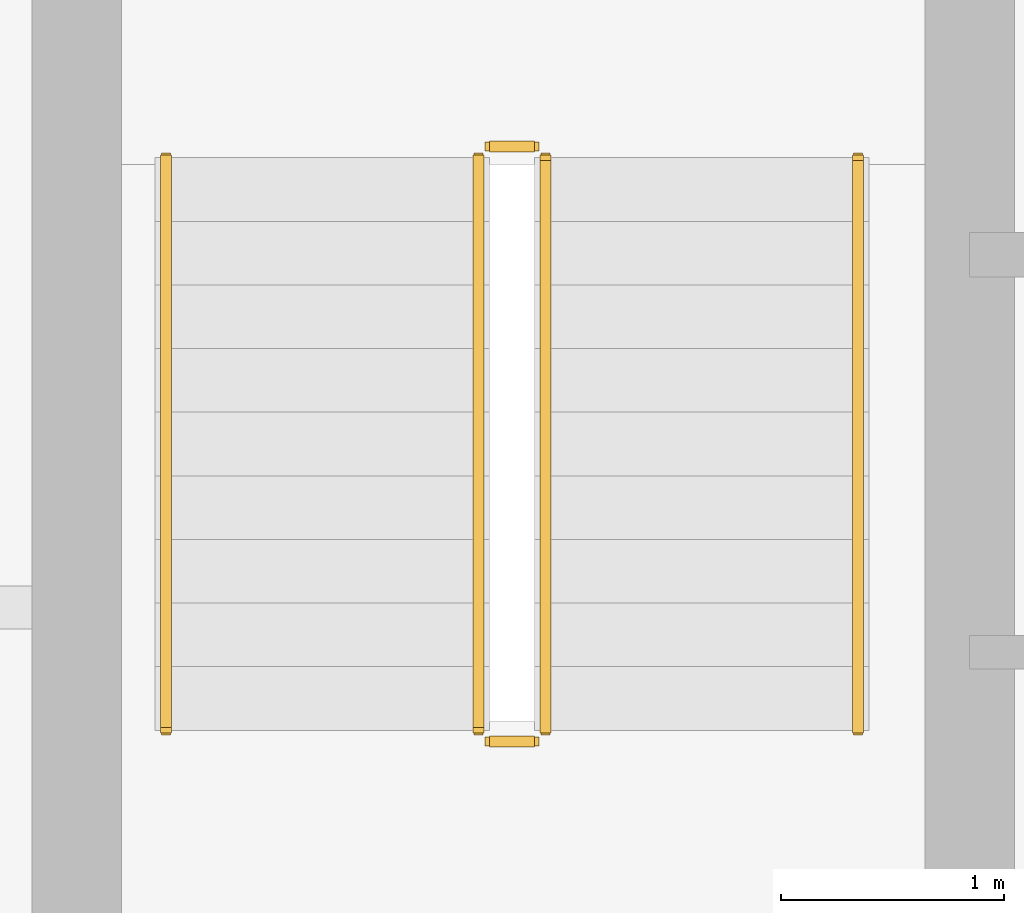
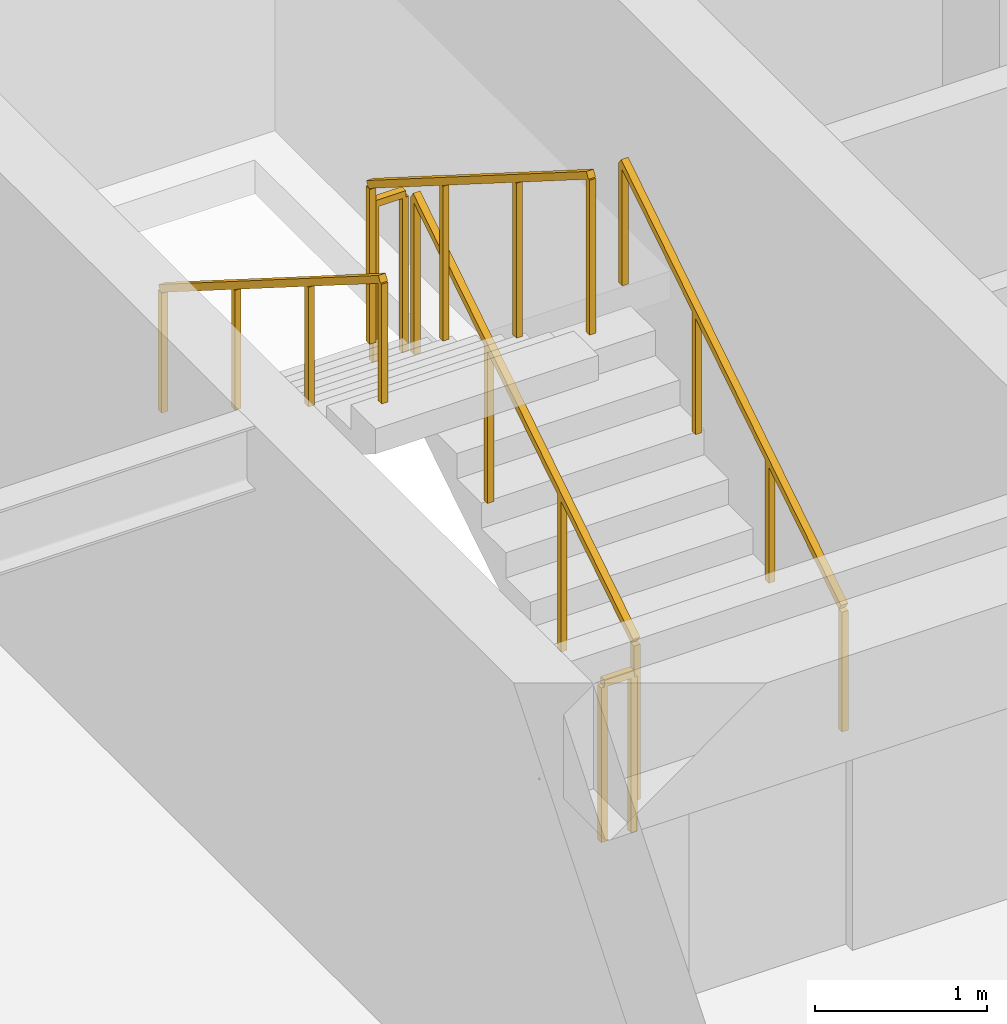
# One storey, part 21 of 23: 6 railings.
"""IFC4 building model written with IfcOpenShell, lengths in metres."""

from ifc_helpers import new_model, si_unit, direction, frame, origin, origin_2d, place, context, subcontext, project, spatial, rectangle, extrude, material, type_object, element, save


model = new_model("IFC4")

# Units and contexts
model_context = context("Model", 3, precision=1e-05, world=origin(), true_north=direction((0.0, 1.0)))
body_context = subcontext(model_context, "Body", "Model", "MODEL_VIEW")
ifc_project = project(units=[si_unit("LENGTHUNIT", "METRE"), si_unit("AREAUNIT", "SQUARE_METRE"), si_unit("VOLUMEUNIT", "CUBIC_METRE"), si_unit("PLANEANGLEUNIT", "RADIAN"), si_unit("MASSUNIT", "GRAM", prefix="KILO")], contexts=[model_context])

# Site, building, storey
site_placement = place(None, origin())
site = spatial("IfcSite", under=ifc_project, at=site_placement, CompositionType="ELEMENT")
building_placement = place(site_placement, origin())
building = spatial("IfcBuilding", under=site, at=building_placement, Name="Sarneth Arch Tower", CompositionType="ELEMENT")
storey_placement = place(building_placement, frame((0.0, 0.0, 242.39990234375)))
storey = spatial("IfcBuildingStorey", under=building, at=storey_placement, Name="L62", CompositionType="ELEMENT", Elevation=242.39990234375)

# Railings
ifc_material_1 = material(Name="Brushed Stainless Steel 304 tubular handrail", Category="steel")
railing_type_1 = type_object("IfcRailingType", Name="RAIL-HANDRAIL-900", PredefinedType="HANDRAIL", material=ifc_material_1)
railing_1_placement = place(storey_placement, frame((40.5, 41.449951171875, 0.18017578125)))
element("IfcRailing", 1, at=railing_1_placement, inside=storey, type_object=railing_type_1, Name="L62 ST-1 stair handrail 1", PredefinedType="HANDRAIL", context=body_context, shape_type="SweptSolid", body=[
    extrude(rectangle(XDim=0.048095703125, YDim=0.048095703125, at=origin_2d()), frame((0.0, 0.0, 0.8759765625), z_axis=(0.0, 0.845502289212, 0.533971796014), x_axis=(-1.0, 0.0, 0.0)), (0.0, 0.0, 1.0), 3.03369140625),
    extrude(rectangle(XDim=0.0419921875, YDim=0.0419921875, at=origin_2d()), origin(), (0.0, 0.0, 1.0), 0.851806640625),
    extrude(rectangle(XDim=0.0419921875, YDim=0.0419921875, at=origin_2d()), frame((0.0, 0.85498046875, 0.5400390625)), (0.0, 0.0, 1.0), 0.851806640625),
    extrude(rectangle(XDim=0.0419921875, YDim=0.0419921875, at=origin_2d()), frame((0.0, 1.7099609375, 1.079833984375)), (0.0, 0.0, 1.0), 0.851806640625),
    extrude(rectangle(XDim=0.0419921875, YDim=0.0419921875, at=origin_2d()), frame((0.0, 2.56494140625, 1.619873046875)), (0.0, 0.0, 1.0), 0.851806640625),
])
railing_2_placement = place(storey_placement, frame((37.39990234375, 44.014892578125, 1.97998046875)))
element("IfcRailing", 2, at=railing_2_placement, inside=storey, type_object=railing_type_1, Name="L62 ST-1 stair handrail 2", PredefinedType="HANDRAIL", context=body_context, shape_type="SweptSolid", body=[
    extrude(rectangle(XDim=0.048095703125, YDim=0.048095703125, at=origin_2d()), frame((0.0, 0.0, 0.8759765625), z_axis=(0.0, -0.845465955043, 0.534029323973), x_axis=(1.0, 0.0, 0.0)), (0.0, 0.0, 1.0), 3.03369140625),
    extrude(rectangle(XDim=0.0419921875, YDim=0.0419921875, at=origin_2d()), origin(), (0.0, 0.0, 1.0), 0.851806640625),
    extrude(rectangle(XDim=0.0419921875, YDim=0.0419921875, at=origin_2d()), frame((0.0, -0.85498046875, 0.5400390625)), (0.0, 0.0, 1.0), 0.851806640625),
    extrude(rectangle(XDim=0.0419921875, YDim=0.0419921875, at=origin_2d()), frame((0.0, -1.7099609375, 1.080078125)), (0.0, 0.0, 1.0), 0.851806640625),
    extrude(rectangle(XDim=0.0419921875, YDim=0.0419921875, at=origin_2d()), frame((0.0, -2.56494140625, 1.6201171875)), (0.0, 0.0, 1.0), 0.851806640625),
])
ifc_material_2 = material(Name="Painted Steel S275 stair well guard", Category="steel")
railing_type_2 = type_object("IfcRailingType", Name="RAIL-STAIR-GUARD", PredefinedType="GUARDRAIL", material=ifc_material_2)
railing_3_placement = place(storey_placement, frame((39.10009765625, 41.449951171875, 0.18017578125)))
element("IfcRailing", 3, at=railing_3_placement, inside=storey, type_object=railing_type_2, Name="L62 ST-1 stair guard 1", PredefinedType="GUARDRAIL", context=body_context, shape_type="SweptSolid", body=[
    extrude(rectangle(XDim=0.048095703125, YDim=0.048095703125, at=origin_2d()), frame((0.0, 0.0, 1.1259765625), z_axis=(0.0, 0.845502289212, 0.533971796014), x_axis=(-1.0, 0.0, 0.0)), (0.0, 0.0, 1.0), 3.03369140625),
    extrude(rectangle(XDim=0.0419921875, YDim=0.0419921875, at=origin_2d()), origin(), (0.0, 0.0, 1.0), 1.101806640625),
    extrude(rectangle(XDim=0.0419921875, YDim=0.0419921875, at=origin_2d()), frame((0.0, 0.85498046875, 0.5400390625)), (0.0, 0.0, 1.0), 1.101806640625),
    extrude(rectangle(XDim=0.0419921875, YDim=0.0419921875, at=origin_2d()), frame((0.0, 1.7099609375, 1.079833984375)), (0.0, 0.0, 1.0), 1.101806640625),
    extrude(rectangle(XDim=0.0419921875, YDim=0.0419921875, at=origin_2d()), frame((0.0, 2.56494140625, 1.619873046875)), (0.0, 0.0, 1.0), 1.101806640625),
])
railing_4_placement = place(storey_placement, frame((39.050048828125, 44.06494140625, 1.800048828125)))
element("IfcRailing", 4, at=railing_4_placement, inside=storey, type_object=railing_type_2, Name="L62 ST-1 stair guard 2", PredefinedType="GUARDRAIL", context=body_context, shape_type="SweptSolid", body=[
    extrude(rectangle(XDim=0.048095703125, YDim=0.048095703125, at=origin_2d()), frame((0.0, 0.0, 1.1259765625), z_axis=(-1.0, 0.0, 0.0), x_axis=(0.0, -1.0, 0.0)), (0.0, 0.0, 1.0), 0.199951171875),
    extrude(rectangle(XDim=0.0419921875, YDim=0.0419921875, at=origin_2d()), origin(), (0.0, 0.0, 1.0), 1.101806640625),
    extrude(rectangle(XDim=0.0419921875, YDim=0.0419921875, at=origin_2d()), frame((-0.199951171875, 0.0, 0.0)), (0.0, 0.0, 1.0), 1.101806640625),
])
railing_5_placement = place(storey_placement, frame((38.800048828125, 44.014892578125, 1.97998046875)))
element("IfcRailing", 5, at=railing_5_placement, inside=storey, type_object=railing_type_2, Name="L62 ST-1 stair guard 3", PredefinedType="GUARDRAIL", context=body_context, shape_type="SweptSolid", body=[
    extrude(rectangle(XDim=0.048095703125, YDim=0.048095703125, at=origin_2d()), frame((0.0, 0.0, 1.1259765625), z_axis=(0.0, -0.845465955043, 0.534029323973), x_axis=(1.0, 0.0, 0.0)), (0.0, 0.0, 1.0), 3.03369140625),
    extrude(rectangle(XDim=0.0419921875, YDim=0.0419921875, at=origin_2d()), origin(), (0.0, 0.0, 1.0), 1.101806640625),
    extrude(rectangle(XDim=0.0419921875, YDim=0.0419921875, at=origin_2d()), frame((0.0, -0.85498046875, 0.5400390625)), (0.0, 0.0, 1.0), 1.101806640625),
    extrude(rectangle(XDim=0.0419921875, YDim=0.0419921875, at=origin_2d()), frame((0.0, -1.7099609375, 1.080078125)), (0.0, 0.0, 1.0), 1.101806640625),
    extrude(rectangle(XDim=0.0419921875, YDim=0.0419921875, at=origin_2d()), frame((0.0, -2.56494140625, 1.6201171875)), (0.0, 0.0, 1.0), 1.101806640625),
])
railing_6_placement = place(storey_placement, frame((39.050048828125, 41.39990234375, 0.0)))
element("IfcRailing", 6, at=railing_6_placement, inside=storey, type_object=railing_type_2, Name="L62 ST-1 stair guard 4", PredefinedType="GUARDRAIL", context=body_context, shape_type="SweptSolid", body=[
    extrude(rectangle(XDim=0.048095703125, YDim=0.048095703125, at=origin_2d()), frame((0.0, 0.0, 1.1259765625), z_axis=(-1.0, 0.0, 0.0), x_axis=(0.0, -1.0, 0.0)), (0.0, 0.0, 1.0), 0.199951171875),
    extrude(rectangle(XDim=0.0419921875, YDim=0.0419921875, at=origin_2d()), origin(), (0.0, 0.0, 1.0), 1.101806640625),
    extrude(rectangle(XDim=0.0419921875, YDim=0.0419921875, at=origin_2d()), frame((-0.199951171875, 0.0, 0.0)), (0.0, 0.0, 1.0), 1.101806640625),
])

save(model, "model.ifc")
